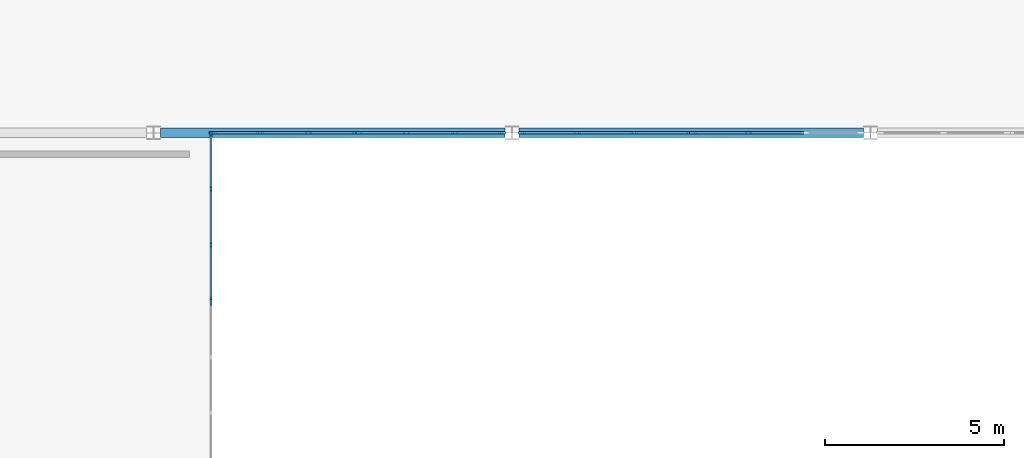
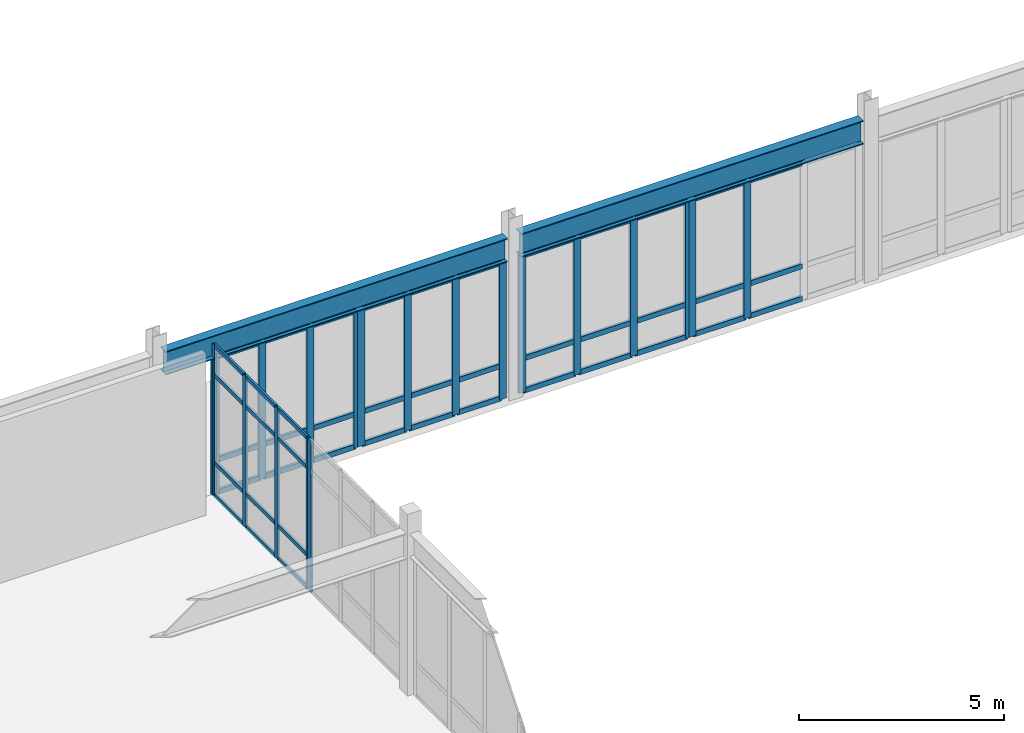
# One storey, part 14 of 68: 64 members, 2 beams, 6 elements without a shape of their own.
"""IFC4 building model written with IfcOpenShell, lengths in metres."""

from ifc_helpers import new_model, si_unit, direction, frame, origin, origin_2d, place, context, subcontext, project, spatial, rectangle, i_section, extrude, material, material_profile, profile_set, type_object, element, aggregate, save


model = new_model("IFC4")

# Units and contexts
model_context = context("Model", 3, precision=1e-05, world=origin(), true_north=direction((0.0, 1.0)))
body_context = subcontext(model_context, "Body", "Model", "MODEL_VIEW")
ifc_project = project(units=[si_unit("LENGTHUNIT", "METRE"), si_unit("AREAUNIT", "SQUARE_METRE"), si_unit("VOLUMEUNIT", "CUBIC_METRE"), si_unit("PLANEANGLEUNIT", "RADIAN"), si_unit("MASSUNIT", "GRAM", prefix="KILO")], contexts=[model_context])

# Site, building, storey
site_placement = place(None, origin())
site = spatial("IfcSite", under=ifc_project, at=site_placement, CompositionType="ELEMENT")
building_placement = place(site_placement, origin())
building = spatial("IfcBuilding", under=site, at=building_placement, Name="Veldera Park Congress Hotel", CompositionType="ELEMENT")
storey_placement = place(building_placement, frame((0.0, 0.0, 10.800048828125)))
storey = spatial("IfcBuildingStorey", under=building, at=storey_placement, Name="L02", CompositionType="ELEMENT", Elevation=10.800048828125)

# Beams
ifc_material_1 = material(Name="Steel ASTM A992 Gr.50", Category="steel")
ifc_material_profile_1 = material_profile(ifc_material_1, i_section(OverallWidth=0.25390625, OverallDepth=0.700927734375, WebThickness=0.015380859375, FlangeThickness=0.02783203125, at=origin_2d()), Name="W27X129")
ifc_profile_set_1 = profile_set([ifc_material_profile_1], Name="Steel ASTM A992 Gr.50")
beam_type = type_object("IfcBeamType", Name="BM-W27B", PredefinedType="BEAM", material=ifc_profile_set_1)
for number, where, z_axis, x_axis, name in (
    (1, (-47.202880859375, -21.0, 4.449462890625), (1.0, 0.0, 0.0), (0.0, 1.0, 0.0), "L02 Girder BM-W27B 842"),
    (2, (-37.202880859375, -21.0, 4.449462890625), (1.0, 0.0, 0.0), (0.0, 1.0, 0.0), "L02 Girder BM-W27B 843"),
):
    element("IfcBeam", number, at=place(storey_placement, frame(where, z_axis=z_axis, x_axis=x_axis)), inside=storey, type_object=beam_type, Name=name, PredefinedType="BEAM", context=body_context, shape_type="SweptSolid", body=[
        extrude(i_section(OverallWidth=0.25390625, OverallDepth=0.700927734375, WebThickness=0.015380859375, FlangeThickness=0.02783203125, at=origin_2d()), origin(), (0.0, 0.0, 1.0), 9.60595703125),
    ])

# Curtain wall, member
ifc_material_2 = material(Name="Low-E Triple Insulating Glass Unit (SHGC 0.22)", Category="glass")
curtain_wall_type_1 = type_object("IfcCurtainWallType", Name="CW-SPA", PredefinedType="NOTDEFINED", material=ifc_material_2)
curtain_wall_1_placement = place(storey_placement, origin())
curtain_wall_1 = element("IfcCurtainWall", 3, at=curtain_wall_1_placement, inside=storey, type_object=curtain_wall_type_1, Name="L02 Curtain Wall CW3-V3E-L02-077", PredefinedType="NOTDEFINED")
ifc_material_3 = material(Name="Anodised Aluminium Alloy 6063-T6", Category="aluminium")
ifc_material_profile_2 = material_profile(ifc_material_3, rectangle(XDim=0.06005859375, YDim=0.159912109375, at=origin_2d()), Name="ALU 60x160")
ifc_profile_set_2 = profile_set([ifc_material_profile_2], Name="Anodised Aluminium Alloy 6063-T6")
member_type_1 = type_object("IfcMemberType", Name="CWM-160", PredefinedType="MULLION", material=ifc_profile_set_2)
member_1_placement = place(storey_placement, frame((-45.800048828125, -25.735107421875, 0.0), z_axis=(0.0, 0.0, 1.0), x_axis=(-1.0, 0.0, 0.0)))
member_1 = element("IfcMember", 4, at=member_1_placement, type_object=member_type_1, Name="CW-SPA mullion 4", PredefinedType="MULLION", context=body_context, shape_type="SweptSolid", body=[
    extrude(rectangle(XDim=0.06005859375, YDim=0.159912109375, at=origin_2d()), origin(), (0.0, 0.0, 1.0), 4.5),
])
aggregate(curtain_wall_1, [member_1])

# Curtain wall, members
curtain_wall_2_placement = place(storey_placement, origin())
curtain_wall_2 = element("IfcCurtainWall", 5, at=curtain_wall_2_placement, inside=storey, type_object=curtain_wall_type_1, Name="L02 Curtain Wall CW3-V3E-L02-078", PredefinedType="NOTDEFINED")
member_2_placement = place(storey_placement, frame((-45.800048828125, -25.64501953125, 0.0), z_axis=(0.0, 0.0, 1.0), x_axis=(-1.0, 0.0, 0.0)))
member_2 = element("IfcMember", 6, at=member_2_placement, type_object=member_type_1, Name="CW-SPA mullion 1", PredefinedType="MULLION", context=body_context, shape_type="SweptSolid", body=[
    extrude(rectangle(XDim=0.06005859375, YDim=0.159912109375, at=origin_2d()), origin(), (0.0, 0.0, 1.0), 4.5),
])
member_3_placement = place(storey_placement, frame((-45.800048828125, -24.12158203125, 0.0), z_axis=(0.0, 0.0, 1.0), x_axis=(-1.0, 0.0, 0.0)))
member_3 = element("IfcMember", 7, at=member_3_placement, type_object=member_type_1, Name="CW-SPA mullion 2", PredefinedType="MULLION", context=body_context, shape_type="SweptSolid", body=[
    extrude(rectangle(XDim=0.06005859375, YDim=0.159912109375, at=origin_2d()), origin(), (0.0, 0.0, 1.0), 4.5),
])
member_4_placement = place(storey_placement, frame((-45.800048828125, -22.568359375, 0.0), z_axis=(0.0, 0.0, 1.0), x_axis=(-1.0, 0.0, 0.0)))
member_4 = element("IfcMember", 8, at=member_4_placement, type_object=member_type_1, Name="CW-SPA mullion 3", PredefinedType="MULLION", context=body_context, shape_type="SweptSolid", body=[
    extrude(rectangle(XDim=0.06005859375, YDim=0.159912109375, at=origin_2d()), origin(), (0.0, 0.0, 1.0), 4.5),
])
member_5_placement = place(storey_placement, frame((-45.800048828125, -21.044921875, 0.0), z_axis=(0.0, 0.0, 1.0), x_axis=(-1.0, 0.0, 0.0)))
member_5 = element("IfcMember", 9, at=member_5_placement, type_object=member_type_1, Name="CW-SPA mullion 4", PredefinedType="MULLION", context=body_context, shape_type="SweptSolid", body=[
    extrude(rectangle(XDim=0.06005859375, YDim=0.159912109375, at=origin_2d()), origin(), (0.0, 0.0, 1.0), 4.5),
])

curtain_wall_type_2 = type_object("IfcCurtainWallType", Name="CW-CNG", PredefinedType="NOTDEFINED", material=ifc_material_2)
curtain_wall_3_placement = place(storey_placement, origin())
curtain_wall_3 = element("IfcCurtainWall", 10, at=curtain_wall_3_placement, inside=storey, type_object=curtain_wall_type_2, Name="L02 Curtain Wall CW3-V1S-L02-055", PredefinedType="NOTDEFINED")
ifc_material_profile_3 = material_profile(ifc_material_3, rectangle(XDim=0.074951171875, YDim=0.199951171875, at=origin_2d()), Name="ALU 75x200")
ifc_profile_set_3 = profile_set([ifc_material_profile_3], Name="Anodised Aluminium Alloy 6063-T6")
member_type_2 = type_object("IfcMemberType", Name="CWM-200", PredefinedType="MULLION", material=ifc_profile_set_3)
member_6_placement = place(storey_placement, frame((-45.74755859375, -21.0, 0.0), z_axis=(0.0, 0.0, 1.0), x_axis=(0.0, 1.0, 0.0)))
member_6 = element("IfcMember", 11, at=member_6_placement, type_object=member_type_2, Name="CW-CNG mullion 1", PredefinedType="MULLION", context=body_context, shape_type="SweptSolid", body=[
    extrude(rectangle(XDim=0.074951171875, YDim=0.199951171875, at=origin_2d()), origin(), (0.0, 0.0, 1.0), 4.093994140625),
])
member_7_placement = place(storey_placement, frame((-44.431884765625, -21.0, 0.0), z_axis=(0.0, 0.0, 1.0), x_axis=(0.0, 1.0, 0.0)))
member_7 = element("IfcMember", 12, at=member_7_placement, type_object=member_type_2, Name="CW-CNG mullion 2", PredefinedType="MULLION", context=body_context, shape_type="SweptSolid", body=[
    extrude(rectangle(XDim=0.074951171875, YDim=0.199951171875, at=origin_2d()), origin(), (0.0, 0.0, 1.0), 4.093994140625),
])
member_8_placement = place(storey_placement, frame((-43.0791015625, -21.0, 0.0), z_axis=(0.0, 0.0, 1.0), x_axis=(0.0, 1.0, 0.0)))
member_8 = element("IfcMember", 13, at=member_8_placement, type_object=member_type_2, Name="CW-CNG mullion 3", PredefinedType="MULLION", context=body_context, shape_type="SweptSolid", body=[
    extrude(rectangle(XDim=0.074951171875, YDim=0.199951171875, at=origin_2d()), origin(), (0.0, 0.0, 1.0), 4.093994140625),
])
member_9_placement = place(storey_placement, frame((-41.763427734375, -21.0, 0.0), z_axis=(0.0, 0.0, 1.0), x_axis=(0.0, 1.0, 0.0)))
member_9 = element("IfcMember", 14, at=member_9_placement, type_object=member_type_2, Name="CW-CNG mullion 4", PredefinedType="MULLION", context=body_context, shape_type="SweptSolid", body=[
    extrude(rectangle(XDim=0.074951171875, YDim=0.199951171875, at=origin_2d()), origin(), (0.0, 0.0, 1.0), 4.093994140625),
])

curtain_wall_4_placement = place(storey_placement, origin())
curtain_wall_4 = element("IfcCurtainWall", 15, at=curtain_wall_4_placement, inside=storey, type_object=curtain_wall_type_2, Name="L02 Curtain Wall CW3-V1S-L02-056", PredefinedType="NOTDEFINED")
member_10_placement = place(storey_placement, frame((-41.658447265625, -21.0, 0.0), z_axis=(0.0, 0.0, 1.0), x_axis=(0.0, 1.0, 0.0)))
member_10 = element("IfcMember", 16, at=member_10_placement, type_object=member_type_2, Name="CW-CNG mullion 1", PredefinedType="MULLION", context=body_context, shape_type="SweptSolid", body=[
    extrude(rectangle(XDim=0.074951171875, YDim=0.199951171875, at=origin_2d()), origin(), (0.0, 0.0, 1.0), 4.093994140625),
])
member_11_placement = place(storey_placement, frame((-40.343017578125, -21.0, 0.0), z_axis=(0.0, 0.0, 1.0), x_axis=(0.0, 1.0, 0.0)))
member_11 = element("IfcMember", 17, at=member_11_placement, type_object=member_type_2, Name="CW-CNG mullion 2", PredefinedType="MULLION", context=body_context, shape_type="SweptSolid", body=[
    extrude(rectangle(XDim=0.074951171875, YDim=0.199951171875, at=origin_2d()), origin(), (0.0, 0.0, 1.0), 4.093994140625),
])
member_12_placement = place(storey_placement, frame((-38.989990234375, -21.0, 0.0), z_axis=(0.0, 0.0, 1.0), x_axis=(0.0, 1.0, 0.0)))
member_12 = element("IfcMember", 18, at=member_12_placement, type_object=member_type_2, Name="CW-CNG mullion 3", PredefinedType="MULLION", context=body_context, shape_type="SweptSolid", body=[
    extrude(rectangle(XDim=0.074951171875, YDim=0.199951171875, at=origin_2d()), origin(), (0.0, 0.0, 1.0), 4.093994140625),
])
member_13_placement = place(storey_placement, frame((-37.674560546875, -21.0, 0.0), z_axis=(0.0, 0.0, 1.0), x_axis=(0.0, 1.0, 0.0)))
member_13 = element("IfcMember", 19, at=member_13_placement, type_object=member_type_2, Name="CW-CNG mullion 4", PredefinedType="MULLION", context=body_context, shape_type="SweptSolid", body=[
    extrude(rectangle(XDim=0.074951171875, YDim=0.199951171875, at=origin_2d()), origin(), (0.0, 0.0, 1.0), 4.093994140625),
])

curtain_wall_5_placement = place(storey_placement, origin())
curtain_wall_5 = element("IfcCurtainWall", 20, at=curtain_wall_5_placement, inside=storey, type_object=curtain_wall_type_2, Name="L02 Curtain Wall CW3-V1S-L02-057", PredefinedType="NOTDEFINED")
member_14_placement = place(storey_placement, frame((-37.12548828125, -21.0, 0.0), z_axis=(0.0, 0.0, 1.0), x_axis=(0.0, 1.0, 0.0)))
member_14 = element("IfcMember", 21, at=member_14_placement, type_object=member_type_2, Name="CW-CNG mullion 1", PredefinedType="MULLION", context=body_context, shape_type="SweptSolid", body=[
    extrude(rectangle(XDim=0.074951171875, YDim=0.199951171875, at=origin_2d()), origin(), (0.0, 0.0, 1.0), 4.093994140625),
])
member_15_placement = place(storey_placement, frame((-35.580322265625, -21.0, 0.0), z_axis=(0.0, 0.0, 1.0), x_axis=(0.0, 1.0, 0.0)))
member_15 = element("IfcMember", 22, at=member_15_placement, type_object=member_type_2, Name="CW-CNG mullion 2", PredefinedType="MULLION", context=body_context, shape_type="SweptSolid", body=[
    extrude(rectangle(XDim=0.074951171875, YDim=0.199951171875, at=origin_2d()), origin(), (0.0, 0.0, 1.0), 4.093994140625),
])
member_16_placement = place(storey_placement, frame((-33.99755859375, -21.0, 0.0), z_axis=(0.0, 0.0, 1.0), x_axis=(0.0, 1.0, 0.0)))
member_16 = element("IfcMember", 23, at=member_16_placement, type_object=member_type_2, Name="CW-CNG mullion 3", PredefinedType="MULLION", context=body_context, shape_type="SweptSolid", body=[
    extrude(rectangle(XDim=0.074951171875, YDim=0.199951171875, at=origin_2d()), origin(), (0.0, 0.0, 1.0), 4.093994140625),
])
member_17_placement = place(storey_placement, frame((-32.452392578125, -21.0, 0.0), z_axis=(0.0, 0.0, 1.0), x_axis=(0.0, 1.0, 0.0)))
member_17 = element("IfcMember", 24, at=member_17_placement, type_object=member_type_2, Name="CW-CNG mullion 4", PredefinedType="MULLION", context=body_context, shape_type="SweptSolid", body=[
    extrude(rectangle(XDim=0.074951171875, YDim=0.199951171875, at=origin_2d()), origin(), (0.0, 0.0, 1.0), 4.093994140625),
])

curtain_wall_6_placement = place(storey_placement, origin())
curtain_wall_6 = element("IfcCurtainWall", 25, at=curtain_wall_6_placement, inside=storey, type_object=curtain_wall_type_2, Name="L02 Curtain Wall CW3-V1S-L02-058", PredefinedType="NOTDEFINED")
member_18_placement = place(storey_placement, frame((-32.347412109375, -21.0, 0.0), z_axis=(0.0, 0.0, 1.0), x_axis=(0.0, 1.0, 0.0)))
member_18 = element("IfcMember", 26, at=member_18_placement, type_object=member_type_2, Name="CW-CNG mullion 1", PredefinedType="MULLION", context=body_context, shape_type="SweptSolid", body=[
    extrude(rectangle(XDim=0.074951171875, YDim=0.199951171875, at=origin_2d()), origin(), (0.0, 0.0, 1.0), 4.093994140625),
])
member_19_placement = place(storey_placement, frame((-30.80224609375, -21.0, 0.0), z_axis=(0.0, 0.0, 1.0), x_axis=(0.0, 1.0, 0.0)))
member_19 = element("IfcMember", 27, at=member_19_placement, type_object=member_type_2, Name="CW-CNG mullion 2", PredefinedType="MULLION", context=body_context, shape_type="SweptSolid", body=[
    extrude(rectangle(XDim=0.074951171875, YDim=0.199951171875, at=origin_2d()), origin(), (0.0, 0.0, 1.0), 4.093994140625),
])

# Member
ifc_material_profile_4 = material_profile(ifc_material_3, rectangle(XDim=0.06005859375, YDim=0.1201171875, at=origin_2d()), Name="ALU 60x120")
ifc_profile_set_4 = profile_set([ifc_material_profile_4], Name="Anodised Aluminium Alloy 6063-T6")
member_type_3 = type_object("IfcMemberType", Name="CWT-120", PredefinedType="USERDEFINED", material=ifc_profile_set_4)
member_20_placement = place(storey_placement, frame((-45.800048828125, -25.614990234375, 0.030029296875), z_axis=(0.0, 1.0, 0.0), x_axis=(-1.0, 0.0, 0.0)))
member_20 = element("IfcMember", 28, at=member_20_placement, type_object=member_type_3, Name="CW-SPA transom 1.1", ObjectType="TRANSOM", PredefinedType="USERDEFINED", context=body_context, shape_type="SweptSolid", body=[
    extrude(rectangle(XDim=0.06005859375, YDim=0.1201171875, at=origin_2d()), origin(), (0.0, 0.0, 1.0), 1.46337890625),
])

member_21_placement = place(storey_placement, frame((-45.800048828125, -25.614990234375, 1.0), z_axis=(0.0, 1.0, 0.0), x_axis=(-1.0, 0.0, 0.0)))
member_21 = element("IfcMember", 29, at=member_21_placement, type_object=member_type_3, Name="CW-SPA transom 1.2", ObjectType="TRANSOM", PredefinedType="USERDEFINED", context=body_context, shape_type="SweptSolid", body=[
    extrude(rectangle(XDim=0.06005859375, YDim=0.1201171875, at=origin_2d()), origin(), (0.0, 0.0, 1.0), 1.46337890625),
])

member_22_placement = place(storey_placement, frame((-45.800048828125, -25.614990234375, 3.599853515625), z_axis=(0.0, 1.0, 0.0), x_axis=(-1.0, 0.0, 0.0)))
member_22 = element("IfcMember", 30, at=member_22_placement, type_object=member_type_3, Name="CW-SPA transom 1.3", ObjectType="TRANSOM", PredefinedType="USERDEFINED", context=body_context, shape_type="SweptSolid", body=[
    extrude(rectangle(XDim=0.06005859375, YDim=0.1201171875, at=origin_2d()), origin(), (0.0, 0.0, 1.0), 1.46337890625),
])

member_23_placement = place(storey_placement, frame((-45.800048828125, -25.614990234375, 4.469970703125), z_axis=(0.0, 1.0, 0.0), x_axis=(-1.0, 0.0, 0.0)))
member_23 = element("IfcMember", 31, at=member_23_placement, type_object=member_type_3, Name="CW-SPA transom 1.4", ObjectType="TRANSOM", PredefinedType="USERDEFINED", context=body_context, shape_type="SweptSolid", body=[
    extrude(rectangle(XDim=0.06005859375, YDim=0.1201171875, at=origin_2d()), origin(), (0.0, 0.0, 1.0), 1.46337890625),
])

member_24_placement = place(storey_placement, frame((-45.800048828125, -24.091552734375, 0.030029296875), z_axis=(0.0, 1.0, 0.0), x_axis=(-1.0, 0.0, 0.0)))
member_24 = element("IfcMember", 32, at=member_24_placement, type_object=member_type_3, Name="CW-SPA transom 2.1", ObjectType="TRANSOM", PredefinedType="USERDEFINED", context=body_context, shape_type="SweptSolid", body=[
    extrude(rectangle(XDim=0.06005859375, YDim=0.1201171875, at=origin_2d()), origin(), (0.0, 0.0, 1.0), 1.4931640625),
])

member_25_placement = place(storey_placement, frame((-45.800048828125, -24.091552734375, 1.0), z_axis=(0.0, 1.0, 0.0), x_axis=(-1.0, 0.0, 0.0)))
member_25 = element("IfcMember", 33, at=member_25_placement, type_object=member_type_3, Name="CW-SPA transom 2.2", ObjectType="TRANSOM", PredefinedType="USERDEFINED", context=body_context, shape_type="SweptSolid", body=[
    extrude(rectangle(XDim=0.06005859375, YDim=0.1201171875, at=origin_2d()), origin(), (0.0, 0.0, 1.0), 1.4931640625),
])

member_26_placement = place(storey_placement, frame((-45.800048828125, -24.091552734375, 3.599853515625), z_axis=(0.0, 1.0, 0.0), x_axis=(-1.0, 0.0, 0.0)))
member_26 = element("IfcMember", 34, at=member_26_placement, type_object=member_type_3, Name="CW-SPA transom 2.3", ObjectType="TRANSOM", PredefinedType="USERDEFINED", context=body_context, shape_type="SweptSolid", body=[
    extrude(rectangle(XDim=0.06005859375, YDim=0.1201171875, at=origin_2d()), origin(), (0.0, 0.0, 1.0), 1.4931640625),
])

member_27_placement = place(storey_placement, frame((-45.800048828125, -24.091552734375, 4.469970703125), z_axis=(0.0, 1.0, 0.0), x_axis=(-1.0, 0.0, 0.0)))
member_27 = element("IfcMember", 35, at=member_27_placement, type_object=member_type_3, Name="CW-SPA transom 2.4", ObjectType="TRANSOM", PredefinedType="USERDEFINED", context=body_context, shape_type="SweptSolid", body=[
    extrude(rectangle(XDim=0.06005859375, YDim=0.1201171875, at=origin_2d()), origin(), (0.0, 0.0, 1.0), 1.4931640625),
])

member_28_placement = place(storey_placement, frame((-45.800048828125, -22.538330078125, 0.030029296875), z_axis=(0.0, 1.0, 0.0), x_axis=(-1.0, 0.0, 0.0)))
member_28 = element("IfcMember", 36, at=member_28_placement, type_object=member_type_3, Name="CW-SPA transom 3.1", ObjectType="TRANSOM", PredefinedType="USERDEFINED", context=body_context, shape_type="SweptSolid", body=[
    extrude(rectangle(XDim=0.06005859375, YDim=0.1201171875, at=origin_2d()), origin(), (0.0, 0.0, 1.0), 1.46337890625),
])

member_29_placement = place(storey_placement, frame((-45.800048828125, -22.538330078125, 1.0), z_axis=(0.0, 1.0, 0.0), x_axis=(-1.0, 0.0, 0.0)))
member_29 = element("IfcMember", 37, at=member_29_placement, type_object=member_type_3, Name="CW-SPA transom 3.2", ObjectType="TRANSOM", PredefinedType="USERDEFINED", context=body_context, shape_type="SweptSolid", body=[
    extrude(rectangle(XDim=0.06005859375, YDim=0.1201171875, at=origin_2d()), origin(), (0.0, 0.0, 1.0), 1.46337890625),
])

member_30_placement = place(storey_placement, frame((-45.800048828125, -22.538330078125, 3.599853515625), z_axis=(0.0, 1.0, 0.0), x_axis=(-1.0, 0.0, 0.0)))
member_30 = element("IfcMember", 38, at=member_30_placement, type_object=member_type_3, Name="CW-SPA transom 3.3", ObjectType="TRANSOM", PredefinedType="USERDEFINED", context=body_context, shape_type="SweptSolid", body=[
    extrude(rectangle(XDim=0.06005859375, YDim=0.1201171875, at=origin_2d()), origin(), (0.0, 0.0, 1.0), 1.46337890625),
])

member_31_placement = place(storey_placement, frame((-45.800048828125, -22.538330078125, 4.469970703125), z_axis=(0.0, 1.0, 0.0), x_axis=(-1.0, 0.0, 0.0)))
member_31 = element("IfcMember", 39, at=member_31_placement, type_object=member_type_3, Name="CW-SPA transom 3.4", ObjectType="TRANSOM", PredefinedType="USERDEFINED", context=body_context, shape_type="SweptSolid", body=[
    extrude(rectangle(XDim=0.06005859375, YDim=0.1201171875, at=origin_2d()), origin(), (0.0, 0.0, 1.0), 1.46337890625),
])

aggregate(curtain_wall_2, [member_2, member_3, member_4, member_5, member_20, member_21, member_22, member_23, member_24, member_25, member_26, member_27, member_28, member_29, member_30, member_31])

ifc_material_profile_5 = material_profile(ifc_material_3, rectangle(XDim=0.074951171875, YDim=0.14990234375, at=origin_2d()), Name="ALU 75x150")
ifc_profile_set_5 = profile_set([ifc_material_profile_5], Name="Anodised Aluminium Alloy 6063-T6")
member_type_4 = type_object("IfcMemberType", Name="CWT-150", PredefinedType="USERDEFINED", material=ifc_profile_set_5)
member_32_placement = place(storey_placement, frame((-45.7099609375, -21.0, 0.037353515625), z_axis=(1.0, 0.0, 0.0), x_axis=(0.0, 1.0, 0.0)))
member_32 = element("IfcMember", 40, at=member_32_placement, type_object=member_type_4, Name="CW-CNG transom 1.1", ObjectType="TRANSOM", PredefinedType="USERDEFINED", context=body_context, shape_type="SweptSolid", body=[
    extrude(rectangle(XDim=0.074951171875, YDim=0.14990234375, at=origin_2d()), origin(), (0.0, 0.0, 1.0), 1.240478515625),
])

member_33_placement = place(storey_placement, frame((-45.7099609375, -21.0, 1.0), z_axis=(1.0, 0.0, 0.0), x_axis=(0.0, 1.0, 0.0)))
member_33 = element("IfcMember", 41, at=member_33_placement, type_object=member_type_4, Name="CW-CNG transom 1.2", ObjectType="TRANSOM", PredefinedType="USERDEFINED", context=body_context, shape_type="SweptSolid", body=[
    extrude(rectangle(XDim=0.074951171875, YDim=0.14990234375, at=origin_2d()), origin(), (0.0, 0.0, 1.0), 1.240478515625),
])

member_34_placement = place(storey_placement, frame((-45.7099609375, -21.0, 4.056396484375), z_axis=(1.0, 0.0, 0.0), x_axis=(0.0, 1.0, 0.0)))
member_34 = element("IfcMember", 42, at=member_34_placement, type_object=member_type_4, Name="CW-CNG transom 1.3", ObjectType="TRANSOM", PredefinedType="USERDEFINED", context=body_context, shape_type="SweptSolid", body=[
    extrude(rectangle(XDim=0.074951171875, YDim=0.14990234375, at=origin_2d()), origin(), (0.0, 0.0, 1.0), 1.240478515625),
])

member_35_placement = place(storey_placement, frame((-44.39453125, -21.0, 0.037353515625), z_axis=(1.0, 0.0, 0.0), x_axis=(0.0, 1.0, 0.0)))
member_35 = element("IfcMember", 43, at=member_35_placement, type_object=member_type_4, Name="CW-CNG transom 2.1", ObjectType="TRANSOM", PredefinedType="USERDEFINED", context=body_context, shape_type="SweptSolid", body=[
    extrude(rectangle(XDim=0.074951171875, YDim=0.14990234375, at=origin_2d()), origin(), (0.0, 0.0, 1.0), 1.278076171875),
])

member_36_placement = place(storey_placement, frame((-44.39453125, -21.0, 1.0), z_axis=(1.0, 0.0, 0.0), x_axis=(0.0, 1.0, 0.0)))
member_36 = element("IfcMember", 44, at=member_36_placement, type_object=member_type_4, Name="CW-CNG transom 2.2", ObjectType="TRANSOM", PredefinedType="USERDEFINED", context=body_context, shape_type="SweptSolid", body=[
    extrude(rectangle(XDim=0.074951171875, YDim=0.14990234375, at=origin_2d()), origin(), (0.0, 0.0, 1.0), 1.278076171875),
])

member_37_placement = place(storey_placement, frame((-44.39453125, -21.0, 4.056396484375), z_axis=(1.0, 0.0, 0.0), x_axis=(0.0, 1.0, 0.0)))
member_37 = element("IfcMember", 45, at=member_37_placement, type_object=member_type_4, Name="CW-CNG transom 2.3", ObjectType="TRANSOM", PredefinedType="USERDEFINED", context=body_context, shape_type="SweptSolid", body=[
    extrude(rectangle(XDim=0.074951171875, YDim=0.14990234375, at=origin_2d()), origin(), (0.0, 0.0, 1.0), 1.278076171875),
])

member_38_placement = place(storey_placement, frame((-43.04150390625, -21.0, 0.037353515625), z_axis=(1.0, 0.0, 0.0), x_axis=(0.0, 1.0, 0.0)))
member_38 = element("IfcMember", 46, at=member_38_placement, type_object=member_type_4, Name="CW-CNG transom 3.1", ObjectType="TRANSOM", PredefinedType="USERDEFINED", context=body_context, shape_type="SweptSolid", body=[
    extrude(rectangle(XDim=0.074951171875, YDim=0.14990234375, at=origin_2d()), origin(), (0.0, 0.0, 1.0), 1.240478515625),
])

member_39_placement = place(storey_placement, frame((-43.04150390625, -21.0, 1.0), z_axis=(1.0, 0.0, 0.0), x_axis=(0.0, 1.0, 0.0)))
member_39 = element("IfcMember", 47, at=member_39_placement, type_object=member_type_4, Name="CW-CNG transom 3.2", ObjectType="TRANSOM", PredefinedType="USERDEFINED", context=body_context, shape_type="SweptSolid", body=[
    extrude(rectangle(XDim=0.074951171875, YDim=0.14990234375, at=origin_2d()), origin(), (0.0, 0.0, 1.0), 1.240478515625),
])

member_40_placement = place(storey_placement, frame((-43.04150390625, -21.0, 4.056396484375), z_axis=(1.0, 0.0, 0.0), x_axis=(0.0, 1.0, 0.0)))
member_40 = element("IfcMember", 48, at=member_40_placement, type_object=member_type_4, Name="CW-CNG transom 3.3", ObjectType="TRANSOM", PredefinedType="USERDEFINED", context=body_context, shape_type="SweptSolid", body=[
    extrude(rectangle(XDim=0.074951171875, YDim=0.14990234375, at=origin_2d()), origin(), (0.0, 0.0, 1.0), 1.240478515625),
])

aggregate(curtain_wall_3, [member_6, member_7, member_8, member_9, member_32, member_33, member_34, member_35, member_36, member_37, member_38, member_39, member_40])

member_41_placement = place(storey_placement, frame((-41.62109375, -21.0, 0.037353515625), z_axis=(1.0, 0.0, 0.0), x_axis=(0.0, 1.0, 0.0)))
member_41 = element("IfcMember", 49, at=member_41_placement, type_object=member_type_4, Name="CW-CNG transom 1.1", ObjectType="TRANSOM", PredefinedType="USERDEFINED", context=body_context, shape_type="SweptSolid", body=[
    extrude(rectangle(XDim=0.074951171875, YDim=0.14990234375, at=origin_2d()), origin(), (0.0, 0.0, 1.0), 1.240478515625),
])

member_42_placement = place(storey_placement, frame((-41.62109375, -21.0, 1.0), z_axis=(1.0, 0.0, 0.0), x_axis=(0.0, 1.0, 0.0)))
member_42 = element("IfcMember", 50, at=member_42_placement, type_object=member_type_4, Name="CW-CNG transom 1.2", ObjectType="TRANSOM", PredefinedType="USERDEFINED", context=body_context, shape_type="SweptSolid", body=[
    extrude(rectangle(XDim=0.074951171875, YDim=0.14990234375, at=origin_2d()), origin(), (0.0, 0.0, 1.0), 1.240478515625),
])

member_43_placement = place(storey_placement, frame((-41.62109375, -21.0, 4.056396484375), z_axis=(1.0, 0.0, 0.0), x_axis=(0.0, 1.0, 0.0)))
member_43 = element("IfcMember", 51, at=member_43_placement, type_object=member_type_4, Name="CW-CNG transom 1.3", ObjectType="TRANSOM", PredefinedType="USERDEFINED", context=body_context, shape_type="SweptSolid", body=[
    extrude(rectangle(XDim=0.074951171875, YDim=0.14990234375, at=origin_2d()), origin(), (0.0, 0.0, 1.0), 1.240478515625),
])

member_44_placement = place(storey_placement, frame((-40.305419921875, -21.0, 0.037353515625), z_axis=(1.0, 0.0, 0.0), x_axis=(0.0, 1.0, 0.0)))
member_44 = element("IfcMember", 52, at=member_44_placement, type_object=member_type_4, Name="CW-CNG transom 2.1", ObjectType="TRANSOM", PredefinedType="USERDEFINED", context=body_context, shape_type="SweptSolid", body=[
    extrude(rectangle(XDim=0.074951171875, YDim=0.14990234375, at=origin_2d()), origin(), (0.0, 0.0, 1.0), 1.27783203125),
])

member_45_placement = place(storey_placement, frame((-40.305419921875, -21.0, 1.0), z_axis=(1.0, 0.0, 0.0), x_axis=(0.0, 1.0, 0.0)))
member_45 = element("IfcMember", 53, at=member_45_placement, type_object=member_type_4, Name="CW-CNG transom 2.2", ObjectType="TRANSOM", PredefinedType="USERDEFINED", context=body_context, shape_type="SweptSolid", body=[
    extrude(rectangle(XDim=0.074951171875, YDim=0.14990234375, at=origin_2d()), origin(), (0.0, 0.0, 1.0), 1.27783203125),
])

member_46_placement = place(storey_placement, frame((-40.305419921875, -21.0, 4.056396484375), z_axis=(1.0, 0.0, 0.0), x_axis=(0.0, 1.0, 0.0)))
member_46 = element("IfcMember", 54, at=member_46_placement, type_object=member_type_4, Name="CW-CNG transom 2.3", ObjectType="TRANSOM", PredefinedType="USERDEFINED", context=body_context, shape_type="SweptSolid", body=[
    extrude(rectangle(XDim=0.074951171875, YDim=0.14990234375, at=origin_2d()), origin(), (0.0, 0.0, 1.0), 1.27783203125),
])

member_47_placement = place(storey_placement, frame((-38.952392578125, -21.0, 0.037353515625), z_axis=(1.0, 0.0, 0.0), x_axis=(0.0, 1.0, 0.0)))
member_47 = element("IfcMember", 55, at=member_47_placement, type_object=member_type_4, Name="CW-CNG transom 3.1", ObjectType="TRANSOM", PredefinedType="USERDEFINED", context=body_context, shape_type="SweptSolid", body=[
    extrude(rectangle(XDim=0.074951171875, YDim=0.14990234375, at=origin_2d()), origin(), (0.0, 0.0, 1.0), 1.240478515625),
])

member_48_placement = place(storey_placement, frame((-38.952392578125, -21.0, 1.0), z_axis=(1.0, 0.0, 0.0), x_axis=(0.0, 1.0, 0.0)))
member_48 = element("IfcMember", 56, at=member_48_placement, type_object=member_type_4, Name="CW-CNG transom 3.2", ObjectType="TRANSOM", PredefinedType="USERDEFINED", context=body_context, shape_type="SweptSolid", body=[
    extrude(rectangle(XDim=0.074951171875, YDim=0.14990234375, at=origin_2d()), origin(), (0.0, 0.0, 1.0), 1.240478515625),
])

member_49_placement = place(storey_placement, frame((-38.952392578125, -21.0, 4.056396484375), z_axis=(1.0, 0.0, 0.0), x_axis=(0.0, 1.0, 0.0)))
member_49 = element("IfcMember", 57, at=member_49_placement, type_object=member_type_4, Name="CW-CNG transom 3.3", ObjectType="TRANSOM", PredefinedType="USERDEFINED", context=body_context, shape_type="SweptSolid", body=[
    extrude(rectangle(XDim=0.074951171875, YDim=0.14990234375, at=origin_2d()), origin(), (0.0, 0.0, 1.0), 1.240478515625),
])

aggregate(curtain_wall_4, [member_10, member_11, member_12, member_13, member_41, member_42, member_43, member_44, member_45, member_46, member_47, member_48, member_49])

member_50_placement = place(storey_placement, frame((-37.087890625, -21.0, 0.037353515625), z_axis=(1.0, 0.0, 0.0), x_axis=(0.0, 1.0, 0.0)))
member_50 = element("IfcMember", 58, at=member_50_placement, type_object=member_type_4, Name="CW-CNG transom 1.1", ObjectType="TRANSOM", PredefinedType="USERDEFINED", context=body_context, shape_type="SweptSolid", body=[
    extrude(rectangle(XDim=0.074951171875, YDim=0.14990234375, at=origin_2d()), origin(), (0.0, 0.0, 1.0), 1.469970703125),
])

member_51_placement = place(storey_placement, frame((-37.087890625, -21.0, 1.0), z_axis=(1.0, 0.0, 0.0), x_axis=(0.0, 1.0, 0.0)))
member_51 = element("IfcMember", 59, at=member_51_placement, type_object=member_type_4, Name="CW-CNG transom 1.2", ObjectType="TRANSOM", PredefinedType="USERDEFINED", context=body_context, shape_type="SweptSolid", body=[
    extrude(rectangle(XDim=0.074951171875, YDim=0.14990234375, at=origin_2d()), origin(), (0.0, 0.0, 1.0), 1.469970703125),
])

member_52_placement = place(storey_placement, frame((-37.087890625, -21.0, 4.056396484375), z_axis=(1.0, 0.0, 0.0), x_axis=(0.0, 1.0, 0.0)))
member_52 = element("IfcMember", 60, at=member_52_placement, type_object=member_type_4, Name="CW-CNG transom 1.3", ObjectType="TRANSOM", PredefinedType="USERDEFINED", context=body_context, shape_type="SweptSolid", body=[
    extrude(rectangle(XDim=0.074951171875, YDim=0.14990234375, at=origin_2d()), origin(), (0.0, 0.0, 1.0), 1.469970703125),
])

member_53_placement = place(storey_placement, frame((-35.542724609375, -21.0, 0.037353515625), z_axis=(1.0, 0.0, 0.0), x_axis=(0.0, 1.0, 0.0)))
member_53 = element("IfcMember", 61, at=member_53_placement, type_object=member_type_4, Name="CW-CNG transom 2.1", ObjectType="TRANSOM", PredefinedType="USERDEFINED", context=body_context, shape_type="SweptSolid", body=[
    extrude(rectangle(XDim=0.074951171875, YDim=0.14990234375, at=origin_2d()), origin(), (0.0, 0.0, 1.0), 1.507568359375),
])

member_54_placement = place(storey_placement, frame((-35.542724609375, -21.0, 1.0), z_axis=(1.0, 0.0, 0.0), x_axis=(0.0, 1.0, 0.0)))
member_54 = element("IfcMember", 62, at=member_54_placement, type_object=member_type_4, Name="CW-CNG transom 2.2", ObjectType="TRANSOM", PredefinedType="USERDEFINED", context=body_context, shape_type="SweptSolid", body=[
    extrude(rectangle(XDim=0.074951171875, YDim=0.14990234375, at=origin_2d()), origin(), (0.0, 0.0, 1.0), 1.507568359375),
])

member_55_placement = place(storey_placement, frame((-35.542724609375, -21.0, 4.056396484375), z_axis=(1.0, 0.0, 0.0), x_axis=(0.0, 1.0, 0.0)))
member_55 = element("IfcMember", 63, at=member_55_placement, type_object=member_type_4, Name="CW-CNG transom 2.3", ObjectType="TRANSOM", PredefinedType="USERDEFINED", context=body_context, shape_type="SweptSolid", body=[
    extrude(rectangle(XDim=0.074951171875, YDim=0.14990234375, at=origin_2d()), origin(), (0.0, 0.0, 1.0), 1.507568359375),
])

member_56_placement = place(storey_placement, frame((-33.960205078125, -21.0, 0.037353515625), z_axis=(1.0, 0.0, 0.0), x_axis=(0.0, 1.0, 0.0)))
member_56 = element("IfcMember", 64, at=member_56_placement, type_object=member_type_4, Name="CW-CNG transom 3.1", ObjectType="TRANSOM", PredefinedType="USERDEFINED", context=body_context, shape_type="SweptSolid", body=[
    extrude(rectangle(XDim=0.074951171875, YDim=0.14990234375, at=origin_2d()), origin(), (0.0, 0.0, 1.0), 1.47021484375),
])

member_57_placement = place(storey_placement, frame((-33.960205078125, -21.0, 1.0), z_axis=(1.0, 0.0, 0.0), x_axis=(0.0, 1.0, 0.0)))
member_57 = element("IfcMember", 65, at=member_57_placement, type_object=member_type_4, Name="CW-CNG transom 3.2", ObjectType="TRANSOM", PredefinedType="USERDEFINED", context=body_context, shape_type="SweptSolid", body=[
    extrude(rectangle(XDim=0.074951171875, YDim=0.14990234375, at=origin_2d()), origin(), (0.0, 0.0, 1.0), 1.47021484375),
])

member_58_placement = place(storey_placement, frame((-33.960205078125, -21.0, 4.056396484375), z_axis=(1.0, 0.0, 0.0), x_axis=(0.0, 1.0, 0.0)))
member_58 = element("IfcMember", 66, at=member_58_placement, type_object=member_type_4, Name="CW-CNG transom 3.3", ObjectType="TRANSOM", PredefinedType="USERDEFINED", context=body_context, shape_type="SweptSolid", body=[
    extrude(rectangle(XDim=0.074951171875, YDim=0.14990234375, at=origin_2d()), origin(), (0.0, 0.0, 1.0), 1.47021484375),
])

aggregate(curtain_wall_5, [member_14, member_15, member_16, member_17, member_50, member_51, member_52, member_53, member_54, member_55, member_56, member_57, member_58])

member_59_placement = place(storey_placement, frame((-32.31005859375, -21.0, 0.037353515625), z_axis=(1.0, 0.0, 0.0), x_axis=(0.0, 1.0, 0.0)))
member_59 = element("IfcMember", 67, at=member_59_placement, type_object=member_type_4, Name="CW-CNG transom 1.1", ObjectType="TRANSOM", PredefinedType="USERDEFINED", context=body_context, shape_type="SweptSolid", body=[
    extrude(rectangle(XDim=0.074951171875, YDim=0.14990234375, at=origin_2d()), origin(), (0.0, 0.0, 1.0), 1.47021484375),
])

member_60_placement = place(storey_placement, frame((-32.31005859375, -21.0, 1.0), z_axis=(1.0, 0.0, 0.0), x_axis=(0.0, 1.0, 0.0)))
member_60 = element("IfcMember", 68, at=member_60_placement, type_object=member_type_4, Name="CW-CNG transom 1.2", ObjectType="TRANSOM", PredefinedType="USERDEFINED", context=body_context, shape_type="SweptSolid", body=[
    extrude(rectangle(XDim=0.074951171875, YDim=0.14990234375, at=origin_2d()), origin(), (0.0, 0.0, 1.0), 1.47021484375),
])

member_61_placement = place(storey_placement, frame((-32.31005859375, -21.0, 4.056396484375), z_axis=(1.0, 0.0, 0.0), x_axis=(0.0, 1.0, 0.0)))
member_61 = element("IfcMember", 69, at=member_61_placement, type_object=member_type_4, Name="CW-CNG transom 1.3", ObjectType="TRANSOM", PredefinedType="USERDEFINED", context=body_context, shape_type="SweptSolid", body=[
    extrude(rectangle(XDim=0.074951171875, YDim=0.14990234375, at=origin_2d()), origin(), (0.0, 0.0, 1.0), 1.47021484375),
])

member_62_placement = place(storey_placement, frame((-30.764892578125, -21.0, 0.037353515625), z_axis=(1.0, 0.0, 0.0), x_axis=(0.0, 1.0, 0.0)))
member_62 = element("IfcMember", 70, at=member_62_placement, type_object=member_type_4, Name="CW-CNG transom 2.1", ObjectType="TRANSOM", PredefinedType="USERDEFINED", context=body_context, shape_type="SweptSolid", body=[
    extrude(rectangle(XDim=0.074951171875, YDim=0.14990234375, at=origin_2d()), origin(), (0.0, 0.0, 1.0), 1.5078125),
])

member_63_placement = place(storey_placement, frame((-30.764892578125, -21.0, 1.0), z_axis=(1.0, 0.0, 0.0), x_axis=(0.0, 1.0, 0.0)))
member_63 = element("IfcMember", 71, at=member_63_placement, type_object=member_type_4, Name="CW-CNG transom 2.2", ObjectType="TRANSOM", PredefinedType="USERDEFINED", context=body_context, shape_type="SweptSolid", body=[
    extrude(rectangle(XDim=0.074951171875, YDim=0.14990234375, at=origin_2d()), origin(), (0.0, 0.0, 1.0), 1.5078125),
])

member_64_placement = place(storey_placement, frame((-30.764892578125, -21.0, 4.056396484375), z_axis=(1.0, 0.0, 0.0), x_axis=(0.0, 1.0, 0.0)))
member_64 = element("IfcMember", 72, at=member_64_placement, type_object=member_type_4, Name="CW-CNG transom 2.3", ObjectType="TRANSOM", PredefinedType="USERDEFINED", context=body_context, shape_type="SweptSolid", body=[
    extrude(rectangle(XDim=0.074951171875, YDim=0.14990234375, at=origin_2d()), origin(), (0.0, 0.0, 1.0), 1.5078125),
])

aggregate(curtain_wall_6, [member_18, member_19, member_59, member_60, member_61, member_62, member_63, member_64])

save(model, "model.ifc")
